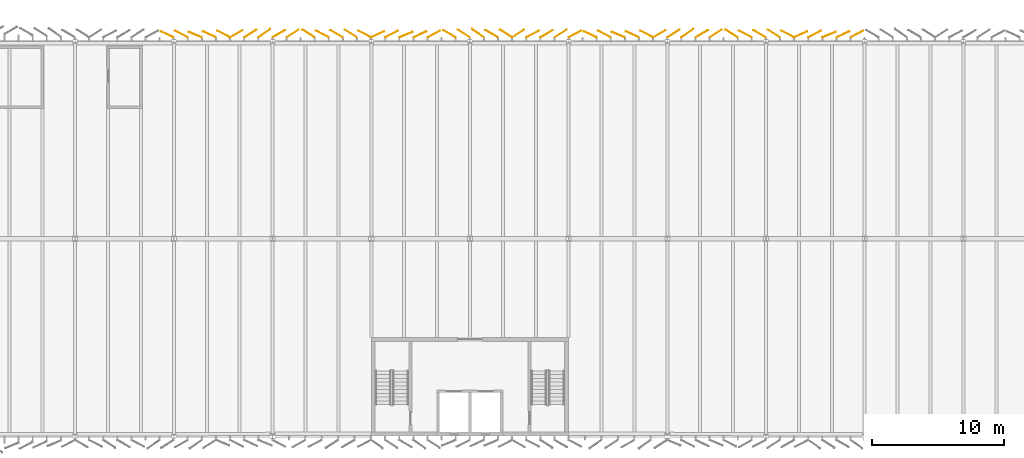
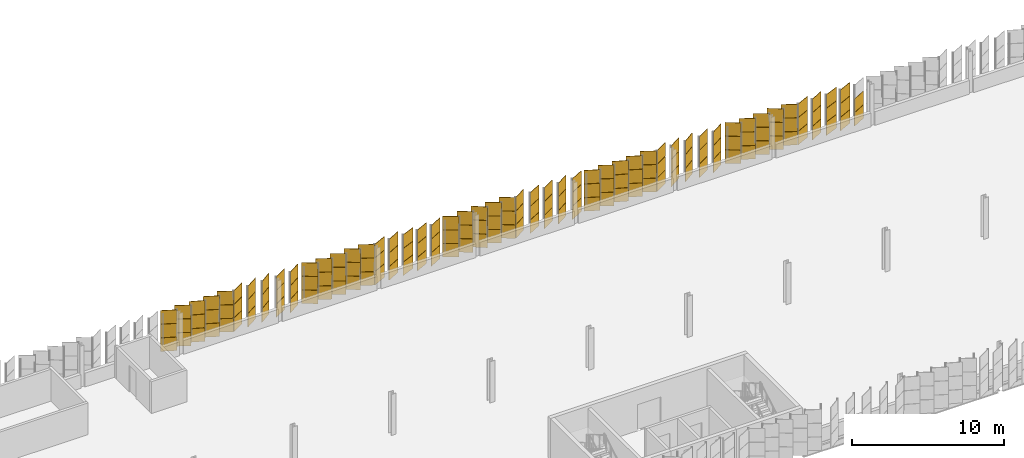
# One storey, part 197 of 199: 149 coverings.
"""IFC4 building model written with IfcOpenShell, lengths in metres."""

from ifc_helpers import new_model, si_unit, direction, frame, origin, origin_2d, place, context, subcontext, project, spatial, rectangle, extrude, material, layer, layer_set, type_object, element, save


model = new_model("IFC4")

# Units and contexts
model_context = context("Model", 3, precision=1e-05, world=origin(), true_north=direction((0.0, 1.0)))
body_context = subcontext(model_context, "Body", "Model", "MODEL_VIEW")
ifc_project = project(units=[si_unit("LENGTHUNIT", "METRE"), si_unit("AREAUNIT", "SQUARE_METRE"), si_unit("VOLUMEUNIT", "CUBIC_METRE"), si_unit("PLANEANGLEUNIT", "RADIAN"), si_unit("MASSUNIT", "GRAM", prefix="KILO")], contexts=[model_context])

# Site, building, storey
site_placement = place(None, origin())
site = spatial("IfcSite", under=ifc_project, at=site_placement, CompositionType="ELEMENT")
building_placement = place(site_placement, origin())
building = spatial("IfcBuilding", under=site, at=building_placement, Name="Parallax Yard Mobility Hub", CompositionType="ELEMENT")
storey_placement = place(building_placement, frame((0.0, 0.0, 9.89990234375)))
storey = spatial("IfcBuildingStorey", under=building, at=storey_placement, Name="L03", CompositionType="ELEMENT", Elevation=9.89990234375)

# Coverings
ifc_material_1 = material(Name="Aluminium panel, champagne finish", Category="aluminium")
ifc_layer_1 = layer(ifc_material_1, 0.030029296875)
ifc_layer_set_1 = layer_set([ifc_layer_1], Name="Skin panel 22.5 degree turn, champagne finish")
covering_type_1 = type_object("IfcCoveringType", Name="Skin panel 22.5 degree turn, champagne finish", PredefinedType="CLADDING", material=ifc_layer_set_1)
for number, where, z_axis, x_axis, name in (
    (1, (102.293212890625, 143.012939453125, 0.02001953125), (0.0, 0.0, 1.0), (0.923879532511, 0.382683432365, 0.0), "Skin panel 22.5 bay 60.3 row 1 level L03"),
    (2, (86.263427734375, 143.012939453125, 0.02001953125), (0.0, 0.0, 1.0), (-0.923879532511, 0.382683432365, 0.0), "Skin panel 22.5 bay 62.4 row 1 level L03"),
    (3, (70.146484375, 143.012939453125, 0.02001953125), (0.0, 0.0, 1.0), (0.923879532511, 0.382683432365, 0.0), "Skin panel 22.5 bay 64.5 row 1 level L03"),
    (4, (54.11669921875, 143.012939453125, 0.02001953125), (0.0, 0.0, 1.0), (-0.923879532511, 0.382683432365, 0.0), "Skin panel 22.5 bay 66.6 row 1 level L03"),
):
    element("IfcCovering", number, at=place(storey_placement, frame(where, z_axis=z_axis, x_axis=x_axis)), inside=storey, type_object=covering_type_1, Name=name, ObjectType="SCREEN", PredefinedType="CLADDING", context=body_context, shape_type="SweptSolid", body=[
        extrude(rectangle(XDim=1.080078125, YDim=0.030029296875, at=origin_2d()), origin(), (0.0, 0.0, 1.0), 1.080078125),
    ])
ifc_material_2 = material(Name="Aluminium panel, silver anodised", Category="aluminium")
ifc_layer_2 = layer(ifc_material_2, 0.030029296875)
ifc_layer_set_2 = layer_set([ifc_layer_2], Name="Skin panel 22.5 degree turn, silver anodised")
covering_type_2 = type_object("IfcCoveringType", Name="Skin panel 22.5 degree turn, silver anodised", PredefinedType="CLADDING", material=ifc_layer_set_2)
for number, where, z_axis, x_axis, name in (
    (5, (102.293212890625, 143.012939453125, 1.1201171875), (0.0, 0.0, 1.0), (0.923879532511, 0.382683432365, 0.0), "Skin panel 22.5 bay 60.3 row 2 level L03"),
    (6, (102.293212890625, 143.012939453125, 2.219970703125), (0.0, 0.0, 1.0), (0.923879532511, 0.382683432365, 0.0), "Skin panel 22.5 bay 60.3 row 3 level L03"),
    (7, (86.263427734375, 143.012939453125, 1.1201171875), (0.0, 0.0, 1.0), (-0.923879532511, 0.382683432365, 0.0), "Skin panel 22.5 bay 62.4 row 2 level L03"),
    (8, (86.263427734375, 143.012939453125, 2.219970703125), (0.0, 0.0, 1.0), (-0.923879532511, 0.382683432365, 0.0), "Skin panel 22.5 bay 62.4 row 3 level L03"),
    (9, (70.146484375, 143.012939453125, 1.1201171875), (0.0, 0.0, 1.0), (0.923879532511, 0.382683432365, 0.0), "Skin panel 22.5 bay 64.5 row 2 level L03"),
    (10, (70.146484375, 143.012939453125, 2.219970703125), (0.0, 0.0, 1.0), (0.923879532511, 0.382683432365, 0.0), "Skin panel 22.5 bay 64.5 row 3 level L03"),
    (11, (54.11669921875, 143.012939453125, 1.1201171875), (0.0, 0.0, 1.0), (-0.923879532511, 0.382683432365, 0.0), "Skin panel 22.5 bay 66.6 row 2 level L03"),
    (12, (54.11669921875, 143.012939453125, 2.219970703125), (0.0, 0.0, 1.0), (-0.923879532511, 0.382683432365, 0.0), "Skin panel 22.5 bay 66.6 row 3 level L03"),
):
    element("IfcCovering", number, at=place(storey_placement, frame(where, z_axis=z_axis, x_axis=x_axis)), inside=storey, type_object=covering_type_2, Name=name, ObjectType="SCREEN", PredefinedType="CLADDING", context=body_context, shape_type="SweptSolid", body=[
        extrude(rectangle(XDim=1.080078125, YDim=0.030029296875, at=origin_2d()), origin(), (0.0, 0.0, 1.0), 1.080078125),
    ])
ifc_layer_3 = layer(ifc_material_1, 0.030029296875)
ifc_layer_set_3 = layer_set([ifc_layer_3], Name="Skin panel 25 degree turn, champagne finish")
covering_type_3 = type_object("IfcCoveringType", Name="Skin panel 25 degree turn, champagne finish", PredefinedType="CLADDING", material=ifc_layer_set_3)
for number, where, z_axis, x_axis, name in (
    (13, (103.35498046875, 143.03515625, 0.02001953125), (0.0, 0.0, 1.0), (0.906307787037, 0.422618261741, 0.0), "Skin panel 25 bay 60.2 row 1 level L03"),
    (14, (100.140380859375, 143.03515625, 0.02001953125), (0.0, 0.0, 1.0), (0.906307787037, 0.422618261741, 0.0), "Skin panel 25 bay 60.5 row 1 level L03"),
    (15, (87.3447265625, 143.03515625, 0.02001953125), (0.0, 0.0, 1.0), (-0.906307787037, 0.422618261741, 0.0), "Skin panel 25 bay 62.3 row 1 level L03"),
    (16, (84.130126953125, 143.03515625, 0.02001953125), (0.0, 0.0, 1.0), (-0.906307787037, 0.422618261741, 0.0), "Skin panel 25 bay 62.6 row 1 level L03"),
    (17, (71.208251953125, 143.03515625, 0.02001953125), (0.0, 0.0, 1.0), (0.906307787037, 0.422618261741, 0.0), "Skin panel 25 bay 64.4 row 1 level L03"),
    (18, (67.99365234375, 143.03515625, 0.02001953125), (0.0, 0.0, 1.0), (0.906307787037, 0.422618261741, 0.0), "Skin panel 25 bay 64.7 row 1 level L03"),
    (19, (55.197998046875, 143.03515625, 0.02001953125), (0.0, 0.0, 1.0), (-0.906307787037, 0.422618261741, 0.0), "Skin panel 25 bay 66.5 row 1 level L03"),
    (20, (51.9833984375, 143.03515625, 0.02001953125), (0.0, 0.0, 1.0), (-0.906307787037, 0.422618261741, 0.0), "Skin panel 25 bay 67.1 row 1 level L03"),
):
    element("IfcCovering", number, at=place(storey_placement, frame(where, z_axis=z_axis, x_axis=x_axis)), inside=storey, type_object=covering_type_3, Name=name, ObjectType="SCREEN", PredefinedType="CLADDING", context=body_context, shape_type="SweptSolid", body=[
        extrude(rectangle(XDim=1.080078125, YDim=0.030029296875, at=origin_2d()), origin(), (0.0, 0.0, 1.0), 1.080078125),
    ])
ifc_layer_4 = layer(ifc_material_2, 0.030029296875)
ifc_layer_set_4 = layer_set([ifc_layer_4], Name="Skin panel 25 degree turn, silver anodised")
covering_type_4 = type_object("IfcCoveringType", Name="Skin panel 25 degree turn, silver anodised", PredefinedType="CLADDING", material=ifc_layer_set_4)
for number, where, z_axis, x_axis, name in (
    (21, (103.35498046875, 143.03515625, 1.1201171875), (0.0, 0.0, 1.0), (0.906307787037, 0.422618261741, 0.0), "Skin panel 25 bay 60.2 row 2 level L03"),
    (22, (103.35498046875, 143.03515625, 2.219970703125), (0.0, 0.0, 1.0), (0.906307787037, 0.422618261741, 0.0), "Skin panel 25 bay 60.2 row 3 level L03"),
    (23, (100.140380859375, 143.03515625, 1.1201171875), (0.0, 0.0, 1.0), (0.906307787037, 0.422618261741, 0.0), "Skin panel 25 bay 60.5 row 2 level L03"),
    (24, (100.140380859375, 143.03515625, 2.219970703125), (0.0, 0.0, 1.0), (0.906307787037, 0.422618261741, 0.0), "Skin panel 25 bay 60.5 row 3 level L03"),
    (25, (87.3447265625, 143.03515625, 1.1201171875), (0.0, 0.0, 1.0), (-0.906307787037, 0.422618261741, 0.0), "Skin panel 25 bay 62.3 row 2 level L03"),
    (26, (87.3447265625, 143.03515625, 2.219970703125), (0.0, 0.0, 1.0), (-0.906307787037, 0.422618261741, 0.0), "Skin panel 25 bay 62.3 row 3 level L03"),
    (27, (84.130126953125, 143.03515625, 1.1201171875), (0.0, 0.0, 1.0), (-0.906307787037, 0.422618261741, 0.0), "Skin panel 25 bay 62.6 row 2 level L03"),
    (28, (84.130126953125, 143.03515625, 2.219970703125), (0.0, 0.0, 1.0), (-0.906307787037, 0.422618261741, 0.0), "Skin panel 25 bay 62.6 row 3 level L03"),
    (29, (71.208251953125, 143.03515625, 1.1201171875), (0.0, 0.0, 1.0), (0.906307787037, 0.422618261741, 0.0), "Skin panel 25 bay 64.4 row 2 level L03"),
    (30, (71.208251953125, 143.03515625, 2.219970703125), (0.0, 0.0, 1.0), (0.906307787037, 0.422618261741, 0.0), "Skin panel 25 bay 64.4 row 3 level L03"),
    (31, (67.99365234375, 143.03515625, 1.1201171875), (0.0, 0.0, 1.0), (0.906307787037, 0.422618261741, 0.0), "Skin panel 25 bay 64.7 row 2 level L03"),
    (32, (67.99365234375, 143.03515625, 2.219970703125), (0.0, 0.0, 1.0), (0.906307787037, 0.422618261741, 0.0), "Skin panel 25 bay 64.7 row 3 level L03"),
    (33, (55.197998046875, 143.03515625, 1.1201171875), (0.0, 0.0, 1.0), (-0.906307787037, 0.422618261741, 0.0), "Skin panel 25 bay 66.5 row 2 level L03"),
    (34, (55.197998046875, 143.03515625, 2.219970703125), (0.0, 0.0, 1.0), (-0.906307787037, 0.422618261741, 0.0), "Skin panel 25 bay 66.5 row 3 level L03"),
    (35, (51.9833984375, 143.03515625, 1.1201171875), (0.0, 0.0, 1.0), (-0.906307787037, 0.422618261741, 0.0), "Skin panel 25 bay 67.1 row 2 level L03"),
    (36, (51.9833984375, 143.03515625, 2.219970703125), (0.0, 0.0, 1.0), (-0.906307787037, 0.422618261741, 0.0), "Skin panel 25 bay 67.1 row 3 level L03"),
):
    element("IfcCovering", number, at=place(storey_placement, frame(where, z_axis=z_axis, x_axis=x_axis)), inside=storey, type_object=covering_type_4, Name=name, ObjectType="SCREEN", PredefinedType="CLADDING", context=body_context, shape_type="SweptSolid", body=[
        extrude(rectangle(XDim=1.080078125, YDim=0.030029296875, at=origin_2d()), origin(), (0.0, 0.0, 1.0), 1.080078125),
    ])
ifc_layer_5 = layer(ifc_material_1, 0.030029296875)
ifc_layer_set_5 = layer_set([ifc_layer_5], Name="Skin panel 27.5 degree turn, champagne finish")
covering_type_5 = type_object("IfcCoveringType", Name="Skin panel 27.5 degree turn, champagne finish", PredefinedType="CLADDING", material=ifc_layer_set_5)
for number, where, z_axis, x_axis, name in (
    (37, (104.415771484375, 143.056884765625, 0.02001953125), (0.0, 0.0, 1.0), (0.887010833178, 0.461748613235, 0.0), "Skin panel 27.5 bay 60.1 row 1 level L03"),
    (38, (101.201171875, 143.056884765625, 0.02001953125), (0.0, 0.0, 1.0), (0.887010833178, 0.461748613235, 0.0), "Skin panel 27.5 bay 60.4 row 1 level L03"),
    (39, (99.142578125, 143.056884765625, 0.02001953125), (0.0, 0.0, 1.0), (-0.887010833178, 0.461748613235, 0.0), "Skin panel 27.5 bay 60.6 row 1 level L03"),
    (40, (95.927978515625, 143.056884765625, 0.02001953125), (0.0, 0.0, 1.0), (-0.887010833178, 0.461748613235, 0.0), "Skin panel 27.5 bay 61.2 row 1 level L03"),
    (41, (88.427001953125, 143.056884765625, 0.02001953125), (0.0, 0.0, 1.0), (-0.887010833178, 0.461748613235, 0.0), "Skin panel 27.5 bay 62.2 row 1 level L03"),
    (42, (85.21240234375, 143.056884765625, 0.02001953125), (0.0, 0.0, 1.0), (-0.887010833178, 0.461748613235, 0.0), "Skin panel 27.5 bay 62.5 row 1 level L03"),
    (43, (82.984619140625, 143.056884765625, 0.02001953125), (0.0, 0.0, 1.0), (0.887010833178, 0.461748613235, 0.0), "Skin panel 27.5 bay 62.7 row 1 level L03"),
    (44, (79.77001953125, 143.056884765625, 0.02001953125), (0.0, 0.0, 1.0), (0.887010833178, 0.461748613235, 0.0), "Skin panel 27.5 bay 63.3 row 1 level L03"),
    (45, (72.26904296875, 143.056884765625, 0.02001953125), (0.0, 0.0, 1.0), (0.887010833178, 0.461748613235, 0.0), "Skin panel 27.5 bay 64.3 row 1 level L03"),
    (46, (69.054443359375, 143.056884765625, 0.02001953125), (0.0, 0.0, 1.0), (0.887010833178, 0.461748613235, 0.0), "Skin panel 27.5 bay 64.6 row 1 level L03"),
    (47, (66.995849609375, 143.056884765625, 0.02001953125), (0.0, 0.0, 1.0), (-0.887010833178, 0.461748613235, 0.0), "Skin panel 27.5 bay 65.1 row 1 level L03"),
    (48, (63.78125, 143.056884765625, 0.02001953125), (0.0, 0.0, 1.0), (-0.887010833178, 0.461748613235, 0.0), "Skin panel 27.5 bay 65.4 row 1 level L03"),
    (49, (56.280517578125, 143.056884765625, 0.02001953125), (0.0, 0.0, 1.0), (-0.887010833178, 0.461748613235, 0.0), "Skin panel 27.5 bay 66.4 row 1 level L03"),
    (50, (53.065673828125, 143.056884765625, 0.02001953125), (0.0, 0.0, 1.0), (-0.887010833178, 0.461748613235, 0.0), "Skin panel 27.5 bay 66.7 row 1 level L03"),
):
    element("IfcCovering", number, at=place(storey_placement, frame(where, z_axis=z_axis, x_axis=x_axis)), inside=storey, type_object=covering_type_5, Name=name, ObjectType="SCREEN", PredefinedType="CLADDING", context=body_context, shape_type="SweptSolid", body=[
        extrude(rectangle(XDim=1.080078125, YDim=0.030029296875, at=origin_2d()), origin(), (0.0, 0.0, 1.0), 1.080078125),
    ])
ifc_layer_6 = layer(ifc_material_2, 0.030029296875)
ifc_layer_set_6 = layer_set([ifc_layer_6], Name="Skin panel 27.5 degree turn, silver anodised")
covering_type_6 = type_object("IfcCoveringType", Name="Skin panel 27.5 degree turn, silver anodised", PredefinedType="CLADDING", material=ifc_layer_set_6)
for number, where, z_axis, x_axis, name in (
    (51, (104.415771484375, 143.056884765625, 1.1201171875), (0.0, 0.0, 1.0), (0.887010833178, 0.461748613235, 0.0), "Skin panel 27.5 bay 60.1 row 2 level L03"),
    (52, (101.201171875, 143.056884765625, 1.1201171875), (0.0, 0.0, 1.0), (0.887010833178, 0.461748613235, 0.0), "Skin panel 27.5 bay 60.4 row 2 level L03"),
    (53, (101.201171875, 143.056884765625, 2.219970703125), (0.0, 0.0, 1.0), (0.887010833178, 0.461748613235, 0.0), "Skin panel 27.5 bay 60.4 row 3 level L03"),
    (54, (99.142578125, 143.056884765625, 1.1201171875), (0.0, 0.0, 1.0), (-0.887010833178, 0.461748613235, 0.0), "Skin panel 27.5 bay 60.6 row 2 level L03"),
    (55, (99.142578125, 143.056884765625, 2.219970703125), (0.0, 0.0, 1.0), (-0.887010833178, 0.461748613235, 0.0), "Skin panel 27.5 bay 60.6 row 3 level L03"),
    (56, (95.927978515625, 143.056884765625, 1.1201171875), (0.0, 0.0, 1.0), (-0.887010833178, 0.461748613235, 0.0), "Skin panel 27.5 bay 61.2 row 2 level L03"),
    (57, (95.927978515625, 143.056884765625, 2.219970703125), (0.0, 0.0, 1.0), (-0.887010833178, 0.461748613235, 0.0), "Skin panel 27.5 bay 61.2 row 3 level L03"),
    (58, (88.427001953125, 143.056884765625, 1.1201171875), (0.0, 0.0, 1.0), (-0.887010833178, 0.461748613235, 0.0), "Skin panel 27.5 bay 62.2 row 2 level L03"),
    (59, (88.427001953125, 143.056884765625, 2.219970703125), (0.0, 0.0, 1.0), (-0.887010833178, 0.461748613235, 0.0), "Skin panel 27.5 bay 62.2 row 3 level L03"),
    (60, (85.21240234375, 143.056884765625, 1.1201171875), (0.0, 0.0, 1.0), (-0.887010833178, 0.461748613235, 0.0), "Skin panel 27.5 bay 62.5 row 2 level L03"),
    (61, (85.21240234375, 143.056884765625, 2.219970703125), (0.0, 0.0, 1.0), (-0.887010833178, 0.461748613235, 0.0), "Skin panel 27.5 bay 62.5 row 3 level L03"),
    (62, (82.984619140625, 143.056884765625, 1.1201171875), (0.0, 0.0, 1.0), (0.887010833178, 0.461748613235, 0.0), "Skin panel 27.5 bay 62.7 row 2 level L03"),
    (63, (82.984619140625, 143.056884765625, 2.219970703125), (0.0, 0.0, 1.0), (0.887010833178, 0.461748613235, 0.0), "Skin panel 27.5 bay 62.7 row 3 level L03"),
    (64, (79.77001953125, 143.056884765625, 1.1201171875), (0.0, 0.0, 1.0), (0.887010833178, 0.461748613235, 0.0), "Skin panel 27.5 bay 63.3 row 2 level L03"),
    (65, (79.77001953125, 143.056884765625, 2.219970703125), (0.0, 0.0, 1.0), (0.887010833178, 0.461748613235, 0.0), "Skin panel 27.5 bay 63.3 row 3 level L03"),
    (66, (72.26904296875, 143.056884765625, 1.1201171875), (0.0, 0.0, 1.0), (0.887010833178, 0.461748613235, 0.0), "Skin panel 27.5 bay 64.3 row 2 level L03"),
    (67, (72.26904296875, 143.056884765625, 2.219970703125), (0.0, 0.0, 1.0), (0.887010833178, 0.461748613235, 0.0), "Skin panel 27.5 bay 64.3 row 3 level L03"),
    (68, (69.054443359375, 143.056884765625, 1.1201171875), (0.0, 0.0, 1.0), (0.887010833178, 0.461748613235, 0.0), "Skin panel 27.5 bay 64.6 row 2 level L03"),
    (69, (69.054443359375, 143.056884765625, 2.219970703125), (0.0, 0.0, 1.0), (0.887010833178, 0.461748613235, 0.0), "Skin panel 27.5 bay 64.6 row 3 level L03"),
    (70, (66.995849609375, 143.056884765625, 1.1201171875), (0.0, 0.0, 1.0), (-0.887010833178, 0.461748613235, 0.0), "Skin panel 27.5 bay 65.1 row 2 level L03"),
    (71, (66.995849609375, 143.056884765625, 2.219970703125), (0.0, 0.0, 1.0), (-0.887010833178, 0.461748613235, 0.0), "Skin panel 27.5 bay 65.1 row 3 level L03"),
    (72, (63.78125, 143.056884765625, 1.1201171875), (0.0, 0.0, 1.0), (-0.887010833178, 0.461748613235, 0.0), "Skin panel 27.5 bay 65.4 row 2 level L03"),
    (73, (63.78125, 143.056884765625, 2.219970703125), (0.0, 0.0, 1.0), (-0.887010833178, 0.461748613235, 0.0), "Skin panel 27.5 bay 65.4 row 3 level L03"),
    (74, (56.280517578125, 143.056884765625, 1.1201171875), (0.0, 0.0, 1.0), (-0.887010833178, 0.461748613235, 0.0), "Skin panel 27.5 bay 66.4 row 2 level L03"),
    (75, (56.280517578125, 143.056884765625, 2.219970703125), (0.0, 0.0, 1.0), (-0.887010833178, 0.461748613235, 0.0), "Skin panel 27.5 bay 66.4 row 3 level L03"),
    (76, (53.065673828125, 143.056884765625, 1.1201171875), (0.0, 0.0, 1.0), (-0.887010833178, 0.461748613235, 0.0), "Skin panel 27.5 bay 66.7 row 2 level L03"),
    (77, (53.065673828125, 143.056884765625, 2.219970703125), (0.0, 0.0, 1.0), (-0.887010833178, 0.461748613235, 0.0), "Skin panel 27.5 bay 66.7 row 3 level L03"),
):
    element("IfcCovering", number, at=place(storey_placement, frame(where, z_axis=z_axis, x_axis=x_axis)), inside=storey, type_object=covering_type_6, Name=name, ObjectType="SCREEN", PredefinedType="CLADDING", context=body_context, shape_type="SweptSolid", body=[
        extrude(rectangle(XDim=1.080078125, YDim=0.030029296875, at=origin_2d()), origin(), (0.0, 0.0, 1.0), 1.080078125),
    ])
ifc_layer_7 = layer(ifc_material_1, 0.030029296875)
ifc_layer_set_7 = layer_set([ifc_layer_7], Name="Skin panel 30 degree turn, champagne finish")
covering_type_7 = type_object("IfcCoveringType", Name="Skin panel 30 degree turn, champagne finish", PredefinedType="CLADDING", material=ifc_layer_set_7)
for number, where, z_axis, x_axis, name in (
    (78, (97.01123046875, 143.078125, 0.02001953125), (0.0, 0.0, 1.0), (-0.866025403784, 0.5, 0.0), "Skin panel 30 bay 61.1 row 1 level L03"),
    (79, (92.616943359375, 143.078125, 0.02001953125), (0.0, 0.0, 1.0), (0.866025403784, 0.5, 0.0), "Skin panel 30 bay 61.5 row 1 level L03"),
    (80, (89.40234375, 143.078125, 0.02001953125), (0.0, 0.0, 1.0), (0.866025403784, 0.5, 0.0), "Skin panel 30 bay 62.1 row 1 level L03"),
    (81, (80.829833984375, 143.078125, 0.02001953125), (0.0, 0.0, 1.0), (0.866025403784, 0.5, 0.0), "Skin panel 30 bay 63.2 row 1 level L03"),
    (82, (76.651611328125, 143.078125, 0.02001953125), (0.0, 0.0, 1.0), (-0.866025403784, 0.5, 0.0), "Skin panel 30 bay 63.6 row 1 level L03"),
    (83, (73.43701171875, 143.078125, 0.02001953125), (0.0, 0.0, 1.0), (-0.866025403784, 0.5, 0.0), "Skin panel 30 bay 64.2 row 1 level L03"),
    (84, (64.864501953125, 143.078125, 0.02001953125), (0.0, 0.0, 1.0), (-0.866025403784, 0.5, 0.0), "Skin panel 30 bay 65.3 row 1 level L03"),
    (85, (60.470458984375, 143.078125, 0.02001953125), (0.0, 0.0, 1.0), (0.866025403784, 0.5, 0.0), "Skin panel 30 bay 65.7 row 1 level L03"),
    (86, (57.255615234375, 143.078125, 0.02001953125), (0.0, 0.0, 1.0), (0.866025403784, 0.5, 0.0), "Skin panel 30 bay 66.3 row 1 level L03"),
):
    element("IfcCovering", number, at=place(storey_placement, frame(where, z_axis=z_axis, x_axis=x_axis)), inside=storey, type_object=covering_type_7, Name=name, ObjectType="SCREEN", PredefinedType="CLADDING", context=body_context, shape_type="SweptSolid", body=[
        extrude(rectangle(XDim=1.080078125, YDim=0.030029296875, at=origin_2d()), origin(), (0.0, 0.0, 1.0), 1.080078125),
    ])
ifc_layer_8 = layer(ifc_material_2, 0.030029296875)
ifc_layer_set_8 = layer_set([ifc_layer_8], Name="Skin panel 30 degree turn, silver anodised")
covering_type_8 = type_object("IfcCoveringType", Name="Skin panel 30 degree turn, silver anodised", PredefinedType="CLADDING", material=ifc_layer_set_8)
for number, where, z_axis, x_axis, name in (
    (87, (97.01123046875, 143.078125, 1.1201171875), (0.0, 0.0, 1.0), (-0.866025403784, 0.5, 0.0), "Skin panel 30 bay 61.1 row 2 level L03"),
    (88, (97.01123046875, 143.078125, 2.219970703125), (0.0, 0.0, 1.0), (-0.866025403784, 0.5, 0.0), "Skin panel 30 bay 61.1 row 3 level L03"),
    (89, (92.616943359375, 143.078125, 1.1201171875), (0.0, 0.0, 1.0), (0.866025403784, 0.5, 0.0), "Skin panel 30 bay 61.5 row 2 level L03"),
    (90, (92.616943359375, 143.078125, 2.219970703125), (0.0, 0.0, 1.0), (0.866025403784, 0.5, 0.0), "Skin panel 30 bay 61.5 row 3 level L03"),
    (91, (89.40234375, 143.078125, 1.1201171875), (0.0, 0.0, 1.0), (0.866025403784, 0.5, 0.0), "Skin panel 30 bay 62.1 row 2 level L03"),
    (92, (89.40234375, 143.078125, 2.219970703125), (0.0, 0.0, 1.0), (0.866025403784, 0.5, 0.0), "Skin panel 30 bay 62.1 row 3 level L03"),
    (93, (80.829833984375, 143.078125, 1.1201171875), (0.0, 0.0, 1.0), (0.866025403784, 0.5, 0.0), "Skin panel 30 bay 63.2 row 2 level L03"),
    (94, (80.829833984375, 143.078125, 2.219970703125), (0.0, 0.0, 1.0), (0.866025403784, 0.5, 0.0), "Skin panel 30 bay 63.2 row 3 level L03"),
    (95, (76.651611328125, 143.078125, 1.1201171875), (0.0, 0.0, 1.0), (-0.866025403784, 0.5, 0.0), "Skin panel 30 bay 63.6 row 2 level L03"),
    (96, (76.651611328125, 143.078125, 2.219970703125), (0.0, 0.0, 1.0), (-0.866025403784, 0.5, 0.0), "Skin panel 30 bay 63.6 row 3 level L03"),
    (97, (73.43701171875, 143.078125, 1.1201171875), (0.0, 0.0, 1.0), (-0.866025403784, 0.5, 0.0), "Skin panel 30 bay 64.2 row 2 level L03"),
    (98, (73.43701171875, 143.078125, 2.219970703125), (0.0, 0.0, 1.0), (-0.866025403784, 0.5, 0.0), "Skin panel 30 bay 64.2 row 3 level L03"),
    (99, (64.864501953125, 143.078125, 1.1201171875), (0.0, 0.0, 1.0), (-0.866025403784, 0.5, 0.0), "Skin panel 30 bay 65.3 row 2 level L03"),
    (100, (64.864501953125, 143.078125, 2.219970703125), (0.0, 0.0, 1.0), (-0.866025403784, 0.5, 0.0), "Skin panel 30 bay 65.3 row 3 level L03"),
    (101, (60.470458984375, 143.078125, 1.1201171875), (0.0, 0.0, 1.0), (0.866025403784, 0.5, 0.0), "Skin panel 30 bay 65.7 row 2 level L03"),
    (102, (60.470458984375, 143.078125, 2.219970703125), (0.0, 0.0, 1.0), (0.866025403784, 0.5, 0.0), "Skin panel 30 bay 65.7 row 3 level L03"),
    (103, (57.255615234375, 143.078125, 1.1201171875), (0.0, 0.0, 1.0), (0.866025403784, 0.5, 0.0), "Skin panel 30 bay 66.3 row 2 level L03"),
    (104, (57.255615234375, 143.078125, 2.219970703125), (0.0, 0.0, 1.0), (0.866025403784, 0.5, 0.0), "Skin panel 30 bay 66.3 row 3 level L03"),
):
    element("IfcCovering", number, at=place(storey_placement, frame(where, z_axis=z_axis, x_axis=x_axis)), inside=storey, type_object=covering_type_8, Name=name, ObjectType="SCREEN", PredefinedType="CLADDING", context=body_context, shape_type="SweptSolid", body=[
        extrude(rectangle(XDim=1.080078125, YDim=0.030029296875, at=origin_2d()), origin(), (0.0, 0.0, 1.0), 1.080078125),
    ])
ifc_layer_9 = layer(ifc_material_1, 0.030029296875)
ifc_layer_set_9 = layer_set([ifc_layer_9], Name="Skin panel 32.5 degree turn, champagne finish")
covering_type_9 = type_object("IfcCoveringType", Name="Skin panel 32.5 degree turn, champagne finish", PredefinedType="CLADDING", material=ifc_layer_set_9)
for number, where, z_axis, x_axis, name in (
    (105, (98.09521484375, 143.098876953125, 0.02001953125), (0.0, 0.0, 1.0), (-0.843391445813, 0.537299608347, 0.0), "Skin panel 32.5 bay 60.7 row 1 level L03"),
    (106, (94.880615234375, 143.098876953125, 0.02001953125), (0.0, 0.0, 1.0), (-0.843391445813, 0.537299608347, 0.0), "Skin panel 32.5 bay 61.3 row 1 level L03"),
    (107, (93.676025390625, 143.098876953125, 0.02001953125), (0.0, 0.0, 1.0), (0.843391445813, 0.537299608347, 0.0), "Skin panel 32.5 bay 61.4 row 1 level L03"),
    (108, (90.461181640625, 143.098876953125, 0.02001953125), (0.0, 0.0, 1.0), (0.843391445813, 0.537299608347, 0.0), "Skin panel 32.5 bay 61.7 row 1 level L03"),
    (109, (81.888916015625, 143.098876953125, 0.02001953125), (0.0, 0.0, 1.0), (0.843391445813, 0.537299608347, 0.0), "Skin panel 32.5 bay 63.1 row 1 level L03"),
    (110, (78.67431640625, 143.098876953125, 0.02001953125), (0.0, 0.0, 1.0), (0.843391445813, 0.537299608347, 0.0), "Skin panel 32.5 bay 63.4 row 1 level L03"),
    (111, (77.73583984375, 143.098876953125, 0.02001953125), (0.0, 0.0, 1.0), (-0.843391445813, 0.537299608347, 0.0), "Skin panel 32.5 bay 63.5 row 1 level L03"),
    (112, (74.52099609375, 143.098876953125, 0.02001953125), (0.0, 0.0, 1.0), (-0.843391445813, 0.537299608347, 0.0), "Skin panel 32.5 bay 64.1 row 1 level L03"),
    (113, (65.94873046875, 143.098876953125, 0.02001953125), (0.0, 0.0, 1.0), (-0.843391445813, 0.537299608347, 0.0), "Skin panel 32.5 bay 65.2 row 1 level L03"),
    (114, (62.73388671875, 143.098876953125, 0.02001953125), (0.0, 0.0, 1.0), (-0.843391445813, 0.537299608347, 0.0), "Skin panel 32.5 bay 65.5 row 1 level L03"),
    (115, (61.529296875, 143.098876953125, 0.02001953125), (0.0, 0.0, 1.0), (0.843391445813, 0.537299608347, 0.0), "Skin panel 32.5 bay 65.6 row 1 level L03"),
    (116, (58.314697265625, 143.098876953125, 0.02001953125), (0.0, 0.0, 1.0), (0.843391445813, 0.537299608347, 0.0), "Skin panel 32.5 bay 66.2 row 1 level L03"),
):
    element("IfcCovering", number, at=place(storey_placement, frame(where, z_axis=z_axis, x_axis=x_axis)), inside=storey, type_object=covering_type_9, Name=name, ObjectType="SCREEN", PredefinedType="CLADDING", context=body_context, shape_type="SweptSolid", body=[
        extrude(rectangle(XDim=1.080078125, YDim=0.030029296875, at=origin_2d()), origin(), (0.0, 0.0, 1.0), 1.080078125),
    ])
ifc_layer_10 = layer(ifc_material_2, 0.030029296875)
ifc_layer_set_10 = layer_set([ifc_layer_10], Name="Skin panel 32.5 degree turn, silver anodised")
covering_type_10 = type_object("IfcCoveringType", Name="Skin panel 32.5 degree turn, silver anodised", PredefinedType="CLADDING", material=ifc_layer_set_10)
for number, where, z_axis, x_axis, name in (
    (117, (98.09521484375, 143.098876953125, 1.1201171875), (0.0, 0.0, 1.0), (-0.843391445813, 0.537299608347, 0.0), "Skin panel 32.5 bay 60.7 row 2 level L03"),
    (118, (98.09521484375, 143.098876953125, 2.219970703125), (0.0, 0.0, 1.0), (-0.843391445813, 0.537299608347, 0.0), "Skin panel 32.5 bay 60.7 row 3 level L03"),
    (119, (94.880615234375, 143.098876953125, 1.1201171875), (0.0, 0.0, 1.0), (-0.843391445813, 0.537299608347, 0.0), "Skin panel 32.5 bay 61.3 row 2 level L03"),
    (120, (94.880615234375, 143.098876953125, 2.219970703125), (0.0, 0.0, 1.0), (-0.843391445813, 0.537299608347, 0.0), "Skin panel 32.5 bay 61.3 row 3 level L03"),
    (121, (93.676025390625, 143.098876953125, 1.1201171875), (0.0, 0.0, 1.0), (0.843391445813, 0.537299608347, 0.0), "Skin panel 32.5 bay 61.4 row 2 level L03"),
    (122, (93.676025390625, 143.098876953125, 2.219970703125), (0.0, 0.0, 1.0), (0.843391445813, 0.537299608347, 0.0), "Skin panel 32.5 bay 61.4 row 3 level L03"),
    (123, (90.461181640625, 143.098876953125, 1.1201171875), (0.0, 0.0, 1.0), (0.843391445813, 0.537299608347, 0.0), "Skin panel 32.5 bay 61.7 row 2 level L03"),
    (124, (90.461181640625, 143.098876953125, 2.219970703125), (0.0, 0.0, 1.0), (0.843391445813, 0.537299608347, 0.0), "Skin panel 32.5 bay 61.7 row 3 level L03"),
    (125, (81.888916015625, 143.098876953125, 1.1201171875), (0.0, 0.0, 1.0), (0.843391445813, 0.537299608347, 0.0), "Skin panel 32.5 bay 63.1 row 2 level L03"),
    (126, (81.888916015625, 143.098876953125, 2.219970703125), (0.0, 0.0, 1.0), (0.843391445813, 0.537299608347, 0.0), "Skin panel 32.5 bay 63.1 row 3 level L03"),
    (127, (78.67431640625, 143.098876953125, 1.1201171875), (0.0, 0.0, 1.0), (0.843391445813, 0.537299608347, 0.0), "Skin panel 32.5 bay 63.4 row 2 level L03"),
    (128, (78.67431640625, 143.098876953125, 2.219970703125), (0.0, 0.0, 1.0), (0.843391445813, 0.537299608347, 0.0), "Skin panel 32.5 bay 63.4 row 3 level L03"),
    (129, (77.73583984375, 143.098876953125, 1.1201171875), (0.0, 0.0, 1.0), (-0.843391445813, 0.537299608347, 0.0), "Skin panel 32.5 bay 63.5 row 2 level L03"),
    (130, (77.73583984375, 143.098876953125, 2.219970703125), (0.0, 0.0, 1.0), (-0.843391445813, 0.537299608347, 0.0), "Skin panel 32.5 bay 63.5 row 3 level L03"),
    (131, (74.52099609375, 143.098876953125, 1.1201171875), (0.0, 0.0, 1.0), (-0.843391445813, 0.537299608347, 0.0), "Skin panel 32.5 bay 64.1 row 2 level L03"),
    (132, (74.52099609375, 143.098876953125, 2.219970703125), (0.0, 0.0, 1.0), (-0.843391445813, 0.537299608347, 0.0), "Skin panel 32.5 bay 64.1 row 3 level L03"),
    (133, (65.94873046875, 143.098876953125, 1.1201171875), (0.0, 0.0, 1.0), (-0.843391445813, 0.537299608347, 0.0), "Skin panel 32.5 bay 65.2 row 2 level L03"),
    (134, (65.94873046875, 143.098876953125, 2.219970703125), (0.0, 0.0, 1.0), (-0.843391445813, 0.537299608347, 0.0), "Skin panel 32.5 bay 65.2 row 3 level L03"),
    (135, (62.73388671875, 143.098876953125, 1.1201171875), (0.0, 0.0, 1.0), (-0.843391445813, 0.537299608347, 0.0), "Skin panel 32.5 bay 65.5 row 2 level L03"),
    (136, (62.73388671875, 143.098876953125, 2.219970703125), (0.0, 0.0, 1.0), (-0.843391445813, 0.537299608347, 0.0), "Skin panel 32.5 bay 65.5 row 3 level L03"),
    (137, (61.529296875, 143.098876953125, 1.1201171875), (0.0, 0.0, 1.0), (0.843391445813, 0.537299608347, 0.0), "Skin panel 32.5 bay 65.6 row 2 level L03"),
    (138, (61.529296875, 143.098876953125, 2.219970703125), (0.0, 0.0, 1.0), (0.843391445813, 0.537299608347, 0.0), "Skin panel 32.5 bay 65.6 row 3 level L03"),
    (139, (58.314697265625, 143.098876953125, 1.1201171875), (0.0, 0.0, 1.0), (0.843391445813, 0.537299608347, 0.0), "Skin panel 32.5 bay 66.2 row 2 level L03"),
    (140, (58.314697265625, 143.098876953125, 2.219970703125), (0.0, 0.0, 1.0), (0.843391445813, 0.537299608347, 0.0), "Skin panel 32.5 bay 66.2 row 3 level L03"),
):
    element("IfcCovering", number, at=place(storey_placement, frame(where, z_axis=z_axis, x_axis=x_axis)), inside=storey, type_object=covering_type_10, Name=name, ObjectType="SCREEN", PredefinedType="CLADDING", context=body_context, shape_type="SweptSolid", body=[
        extrude(rectangle(XDim=1.080078125, YDim=0.030029296875, at=origin_2d()), origin(), (0.0, 0.0, 1.0), 1.080078125),
    ])
ifc_layer_11 = layer(ifc_material_1, 0.030029296875)
ifc_layer_set_11 = layer_set([ifc_layer_11], Name="Skin panel 35 degree turn, champagne finish")
covering_type_11 = type_object("IfcCoveringType", Name="Skin panel 35 degree turn, champagne finish", PredefinedType="CLADDING", material=ifc_layer_set_11)
for number, where, z_axis, x_axis, name in (
    (141, (91.519287109375, 143.119140625, 0.02001953125), (0.0, 0.0, 1.0), (0.819152044289, 0.573576436351, 0.0), "Skin panel 35 bay 61.6 row 1 level L03"),
    (142, (75.606201171875, 143.119140625, 0.02001953125), (0.0, 0.0, 1.0), (-0.819152044289, 0.573576436351, 0.0), "Skin panel 35 bay 63.7 row 1 level L03"),
    (143, (59.372802734375, 143.119140625, 0.02001953125), (0.0, 0.0, 1.0), (0.819152044289, 0.573576436351, 0.0), "Skin panel 35 bay 66.1 row 1 level L03"),
):
    element("IfcCovering", number, at=place(storey_placement, frame(where, z_axis=z_axis, x_axis=x_axis)), inside=storey, type_object=covering_type_11, Name=name, ObjectType="SCREEN", PredefinedType="CLADDING", context=body_context, shape_type="SweptSolid", body=[
        extrude(rectangle(XDim=1.080078125, YDim=0.030029296875, at=origin_2d()), origin(), (0.0, 0.0, 1.0), 1.080078125),
    ])
ifc_layer_12 = layer(ifc_material_2, 0.030029296875)
ifc_layer_set_12 = layer_set([ifc_layer_12], Name="Skin panel 35 degree turn, silver anodised")
covering_type_12 = type_object("IfcCoveringType", Name="Skin panel 35 degree turn, silver anodised", PredefinedType="CLADDING", material=ifc_layer_set_12)
for number, where, z_axis, x_axis, name in (
    (144, (91.519287109375, 143.119140625, 1.1201171875), (0.0, 0.0, 1.0), (0.819152044289, 0.573576436351, 0.0), "Skin panel 35 bay 61.6 row 2 level L03"),
    (145, (91.519287109375, 143.119140625, 2.219970703125), (0.0, 0.0, 1.0), (0.819152044289, 0.573576436351, 0.0), "Skin panel 35 bay 61.6 row 3 level L03"),
    (146, (75.606201171875, 143.119140625, 1.1201171875), (0.0, 0.0, 1.0), (-0.819152044289, 0.573576436351, 0.0), "Skin panel 35 bay 63.7 row 2 level L03"),
    (147, (75.606201171875, 143.119140625, 2.219970703125), (0.0, 0.0, 1.0), (-0.819152044289, 0.573576436351, 0.0), "Skin panel 35 bay 63.7 row 3 level L03"),
    (148, (59.372802734375, 143.119140625, 1.1201171875), (0.0, 0.0, 1.0), (0.819152044289, 0.573576436351, 0.0), "Skin panel 35 bay 66.1 row 2 level L03"),
    (149, (59.372802734375, 143.119140625, 2.219970703125), (0.0, 0.0, 1.0), (0.819152044289, 0.573576436351, 0.0), "Skin panel 35 bay 66.1 row 3 level L03"),
):
    element("IfcCovering", number, at=place(storey_placement, frame(where, z_axis=z_axis, x_axis=x_axis)), inside=storey, type_object=covering_type_12, Name=name, ObjectType="SCREEN", PredefinedType="CLADDING", context=body_context, shape_type="SweptSolid", body=[
        extrude(rectangle(XDim=1.080078125, YDim=0.030029296875, at=origin_2d()), origin(), (0.0, 0.0, 1.0), 1.080078125),
    ])

save(model, "model.ifc")
